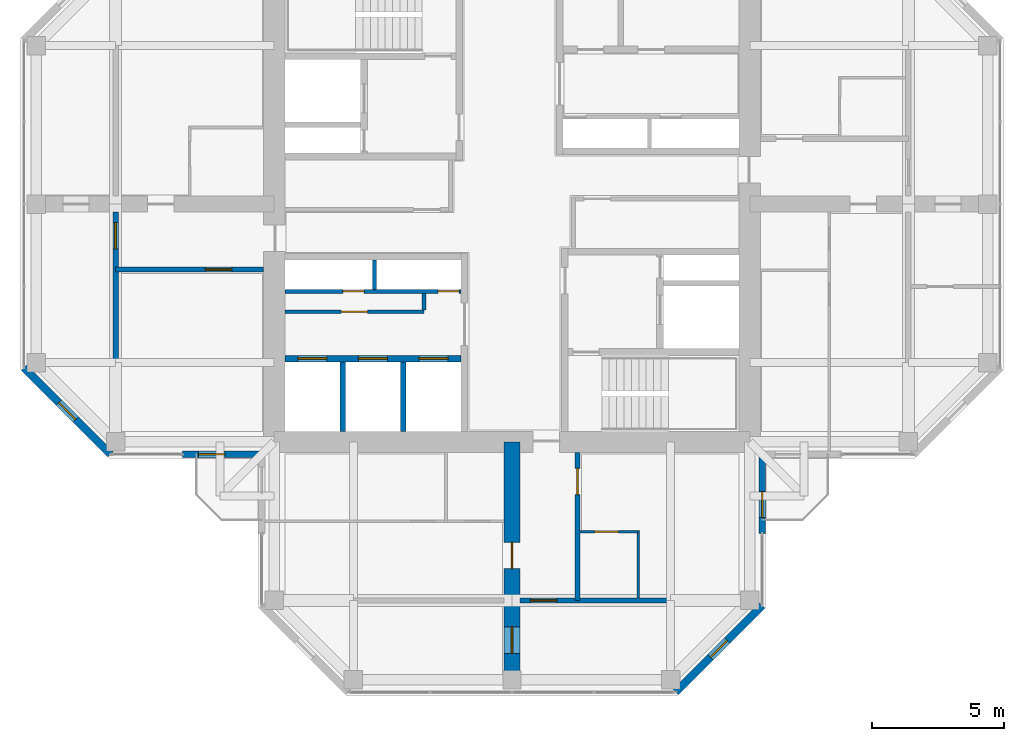
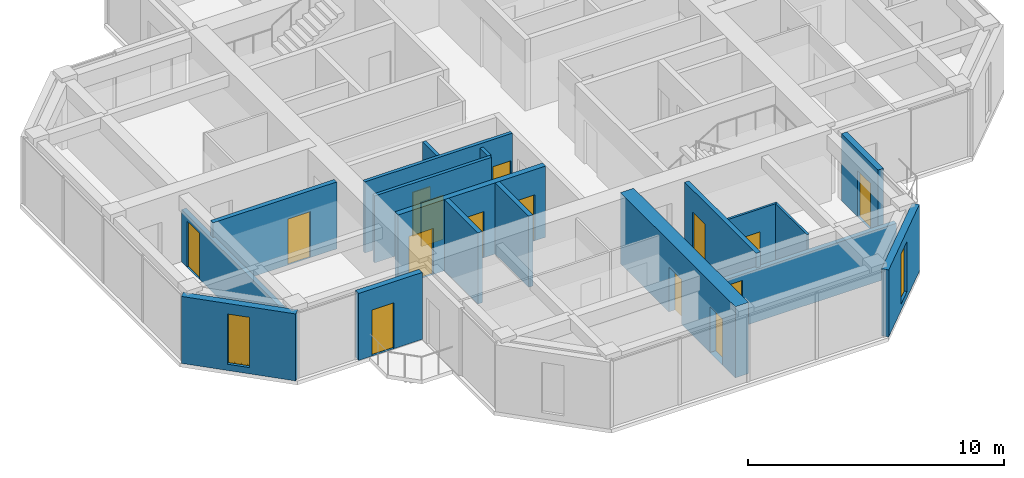
# One storey, part 8 of 13: 18 walls, 15 doors, 2 windows, 17 openings.
"""IFC4 building model written with IfcOpenShell, lengths in metres."""

from ifc_helpers import new_model, si_unit, direction, frame, frame_2d, origin, place, context, subcontext, project, spatial, rectangle, hollow_rectangle, extrude, material, layer, layer_set, constituent, constituent_set, type_object, element, fill, save


model = new_model("IFC4")

# Units and contexts
model_context = context("Model", 3, precision=1e-05, world=origin(), true_north=direction((0.0, 1.0)))
body_context = subcontext(model_context, "Body", "Model", "MODEL_VIEW")
ifc_project = project(units=[si_unit("LENGTHUNIT", "METRE"), si_unit("AREAUNIT", "SQUARE_METRE"), si_unit("VOLUMEUNIT", "CUBIC_METRE"), si_unit("PLANEANGLEUNIT", "RADIAN"), si_unit("MASSUNIT", "GRAM", prefix="KILO")], contexts=[model_context])

# Site, building, storey
site_placement = place(None, origin())
site = spatial("IfcSite", under=ifc_project, at=site_placement, CompositionType="ELEMENT")
building_placement = place(site_placement, origin())
building = spatial("IfcBuilding", under=site, at=building_placement, Name="Torre Cruceta", CompositionType="ELEMENT")
storey_placement = place(building_placement, frame((0.0, 0.0, 284.89990234375)))
storey = spatial("IfcBuildingStorey", under=building, at=storey_placement, Name="L74", CompositionType="ELEMENT", Elevation=284.89990234375)

# Wall
ifc_material_1 = material(Name="Water-resistant plasterboard on steel studs", Category="steel")
ifc_layer_1 = layer(ifc_material_1, 0.10009765625)
ifc_layer_set_1 = layer_set([ifc_layer_1], Name="Water-resistant plasterboard on steel studs")
wall_type_1 = type_object("IfcWallType", Name="BATHROOM WALL 100", PredefinedType="PARTITIONING", material=ifc_layer_set_1)
wall_1_placement = place(storey_placement, frame((4.77490234375, -12.35009765625, 0.0), z_axis=(0.0, 0.0, 1.0), x_axis=(0.0, -1.0, 0.0)))
element("IfcWall", 1, at=wall_1_placement, inside=storey, type_object=wall_type_1, Name="PT4 L74-S-U1LBB", PredefinedType="PARTITIONING", context=body_context, shape_type="SweptSolid", body=[
    extrude(rectangle(XDim=2.5498046875, YDim=0.10009765625, at=frame_2d((1.27490234375, 0.0))), origin(), (0.0, 0.0, 1.0), 3.2001953125),
])

# Wall, opening, door
wall_2_placement = place(storey_placement, frame((2.574951171875, -12.39990234375, 0.0), z_axis=(0.0, 0.0, 1.0), x_axis=(1.0, 0.0, 0.0)))
wall_2 = element("IfcWall", 2, at=wall_2_placement, inside=storey, type_object=wall_type_1, Name="PT4 L74-S-U1LBS", PredefinedType="PARTITIONING", context=body_context, shape_type="SweptSolid", body=[
    extrude(rectangle(XDim=2.199951171875, YDim=0.10009765625, at=frame_2d((1.10009765625, 0.0))), origin(), (0.0, 0.0, 1.0), 3.2001953125),
])
opening_1_placement = place(wall_2_placement, frame((0.550048828125, 0.0, 0.0)))
opening_1 = element("IfcOpeningElement", 3, at=opening_1_placement, cuts=wall_2, Name="Opening D7", PredefinedType="OPENING", context=body_context, shape_type="SweptSolid", body=[
    extrude(rectangle(XDim=0.89990234375, YDim=2.10009765625, at=frame_2d((0.449951171875, 1.050048828125))), frame((0.0, 0.06005859375, 0.0), z_axis=(0.0, -1.0, 0.0), x_axis=(1.0, 0.0, 0.0)), (0.0, 0.0, 1.0), 0.1201171875),
])
ifc_material_2 = material(Name="Timber door", Category="wood")
door_type_1 = type_object("IfcDoorType", Name="BATHROOM DOOR 900X2100", OperationType="SINGLE_SWING_LEFT", PredefinedType="DOOR", material=ifc_material_2)
door_1_placement = place(opening_1_placement, frame((0.89990234375, 0.0, 0.0), z_axis=(0.0, 0.0, 1.0), x_axis=(-1.0, 0.0, 0.0)))
door_1 = element("IfcDoor", 4, at=door_1_placement, inside=storey, type_object=door_type_1, Name="D7 L74-S-U1LBS-D1", OperationType="SINGLE_SWING_RIGHT", OverallHeight=2.10009765625, OverallWidth=0.89990234375, PredefinedType="DOOR", context=body_context, shape_type="SweptSolid", body=[
    extrude(rectangle(XDim=0.89990234375, YDim=2.10009765625, at=frame_2d((0.449951171875, 1.050048828125))), frame((0.0, 0.025146484375, 0.0), z_axis=(0.0, -1.0, 0.0), x_axis=(1.0, 0.0, 0.0)), (0.0, 0.0, 1.0), 0.050048828125),
])
fill(opening_1, door_1)

# Wall, openings, doors
ifc_material_3 = material(Name="Concrete G60 (fck 60 MPa)", Category="concrete")
ifc_layer_2 = layer(ifc_material_3, 0.25)
ifc_layer_set_2 = layer_set([ifc_layer_2], Name="Concrete G60 (fck 60 MPa)")
wall_type_2 = type_object("IfcWallType", Name="CORE INNER WALL 250 G60", PredefinedType="SHEAR", material=ifc_layer_set_2)
wall_3_placement = place(storey_placement, frame((-1.925048828125, -5.85009765625, 0.0), z_axis=(0.0, 0.0, 1.0), x_axis=(-1.0, 0.0, 0.0)))
wall_3 = element("IfcWall", 5, at=wall_3_placement, inside=storey, type_object=wall_type_2, Name="CW4 L74 SW-LV", PredefinedType="SHEAR", context=body_context, shape_type="SweptSolid", body=[
    extrude(rectangle(XDim=6.675048828125, YDim=0.25, at=frame_2d((3.33740234375, 0.0))), origin(), (0.0, 0.0, 1.0), 3.400146484375),
])
opening_2_placement = place(wall_3_placement, frame((0.495849609375, 0.0, 0.0)))
opening_2 = element("IfcOpeningElement", 6, at=opening_2_placement, cuts=wall_3, Name="Opening LD1", PredefinedType="OPENING", context=body_context, shape_type="SweptSolid", body=[
    extrude(rectangle(XDim=1.10009765625, YDim=2.199951171875, at=frame_2d((0.550048828125, 1.10009765625))), frame((0.0, 0.135009765625, 0.0), z_axis=(0.0, -1.0, 0.0), x_axis=(1.0, 0.0, 0.0)), (0.0, 0.0, 1.0), 0.27001953125),
])
opening_3_placement = place(wall_3_placement, frame((2.78759765625, 0.0, 0.0)))
opening_3 = element("IfcOpeningElement", 7, at=opening_3_placement, cuts=wall_3, Name="Opening LD1", PredefinedType="OPENING", context=body_context, shape_type="SweptSolid", body=[
    extrude(rectangle(XDim=1.10009765625, YDim=2.199951171875, at=frame_2d((0.550048828125, 1.10009765625))), frame((0.0, 0.135009765625, 0.0), z_axis=(0.0, -1.0, 0.0), x_axis=(1.0, 0.0, 0.0)), (0.0, 0.0, 1.0), 0.27001953125),
])
opening_4_placement = place(wall_3_placement, frame((5.0791015625, 0.0, 0.0)))
opening_4 = element("IfcOpeningElement", 8, at=opening_4_placement, cuts=wall_3, Name="Opening LD1", PredefinedType="OPENING", context=body_context, shape_type="SweptSolid", body=[
    extrude(rectangle(XDim=1.10009765625, YDim=2.199951171875, at=frame_2d((0.550048828125, 1.10009765625))), frame((0.0, 0.135009765625, 0.0), z_axis=(0.0, -1.0, 0.0), x_axis=(1.0, 0.0, 0.0)), (0.0, 0.0, 1.0), 0.27001953125),
])
ifc_material_4 = material(Name="Stainless steel 1.4401", Category="steel")
door_type_2 = type_object("IfcDoorType", Name="LIFT LANDING DOOR 1100X2200", OperationType="DOUBLE_DOOR_SLIDING", PredefinedType="DOOR", material=ifc_material_4)
door_2_placement = place(opening_2_placement, origin())
door_2 = element("IfcDoor", 9, at=door_2_placement, inside=storey, type_object=door_type_2, Name="Lift landing door R1", OperationType="DOUBLE_DOOR_SLIDING", OverallHeight=2.199951171875, OverallWidth=1.10009765625, PredefinedType="DOOR", context=body_context, shape_type="SweptSolid", body=[
    extrude(rectangle(XDim=1.10009765625, YDim=2.199951171875, at=frame_2d((0.550048828125, 1.10009765625))), frame((0.0, 0.02490234375, 0.0), z_axis=(0.0, -1.0, 0.0), x_axis=(1.0, 0.0, 0.0)), (0.0, 0.0, 1.0), 0.050048828125),
])
fill(opening_2, door_2)
door_3_placement = place(opening_3_placement, origin())
door_3 = element("IfcDoor", 10, at=door_3_placement, inside=storey, type_object=door_type_2, Name="Lift landing door R2", OperationType="DOUBLE_DOOR_SLIDING", OverallHeight=2.199951171875, OverallWidth=1.10009765625, PredefinedType="DOOR", context=body_context, shape_type="SweptSolid", body=[
    extrude(rectangle(XDim=1.10009765625, YDim=2.199951171875, at=frame_2d((0.550048828125, 1.10009765625))), frame((0.0, 0.02490234375, 0.0), z_axis=(0.0, -1.0, 0.0), x_axis=(1.0, 0.0, 0.0)), (0.0, 0.0, 1.0), 0.050048828125),
])
fill(opening_3, door_3)
door_4_placement = place(opening_4_placement, origin())
door_4 = element("IfcDoor", 11, at=door_4_placement, inside=storey, type_object=door_type_2, Name="Lift landing door R3", OperationType="DOUBLE_DOOR_SLIDING", OverallHeight=2.199951171875, OverallWidth=1.10009765625, PredefinedType="DOOR", context=body_context, shape_type="SweptSolid", body=[
    extrude(rectangle(XDim=1.10009765625, YDim=2.199951171875, at=frame_2d((0.550048828125, 1.10009765625))), frame((0.0, 0.02490234375, 0.0), z_axis=(0.0, -1.0, 0.0), x_axis=(1.0, 0.0, 0.0)), (0.0, 0.0, 1.0), 0.050048828125),
])
fill(opening_4, door_4)

# Wall, opening, door
ifc_material_5 = material(Name="Concrete G25 (fck 25 MPa)", Category="concrete")
ifc_layer_3 = layer(ifc_material_5, 0.199951171875)
ifc_layer_set_3 = layer_set([ifc_layer_3], Name="Concrete G25 (fck 25 MPa)")
wall_type_3 = type_object("IfcWallType", Name="CORRIDOR WALL 200", PredefinedType="SOLIDWALL", material=ifc_layer_set_3)
wall_4_placement = place(storey_placement, frame((2.47509765625, -9.39990234375, 0.0), z_axis=(0.0, 0.0, 1.0), x_axis=(0.0, -1.0, 0.0)))
wall_4 = element("IfcWall", 12, at=wall_4_placement, inside=storey, type_object=wall_type_3, Name="PT3 L74-S-CL", PredefinedType="SOLIDWALL", context=body_context, shape_type="SweptSolid", body=[
    extrude(rectangle(XDim=5.60009765625, YDim=0.199951171875, at=frame_2d((2.800048828125, 0.0))), origin(), (0.0, 0.0, 1.0), 3.2001953125),
])
opening_5_placement = place(wall_4_placement, frame((0.60009765625, 0.0, 0.0)))
opening_5 = element("IfcOpeningElement", 13, at=opening_5_placement, cuts=wall_4, Name="Opening D6", PredefinedType="OPENING", context=body_context, shape_type="SweptSolid", body=[
    extrude(rectangle(XDim=1.0, YDim=2.14990234375, at=frame_2d((0.5, 1.074951171875))), frame((0.0, 0.10986328125, 0.0), z_axis=(0.0, -1.0, 0.0), x_axis=(1.0, 0.0, 0.0)), (0.0, 0.0, 1.0), 0.219970703125),
])
ifc_material_6 = material(Name="Timber fire door", Category="wood")
door_type_3 = type_object("IfcDoorType", Name="UNIT ENTRANCE DOOR 1000X2150", OperationType="SINGLE_SWING_LEFT", PredefinedType="DOOR", material=ifc_material_6)
door_5_placement = place(opening_5_placement, origin())
door_5 = element("IfcDoor", 14, at=door_5_placement, inside=storey, type_object=door_type_3, Name="D6 L74-S-CL-D1", OperationType="SINGLE_SWING_LEFT", OverallHeight=2.14990234375, OverallWidth=1.0, PredefinedType="DOOR", context=body_context, shape_type="SweptSolid", body=[
    extrude(rectangle(XDim=1.0, YDim=2.14990234375, at=frame_2d((0.5, 1.074951171875))), frame((0.0, 0.02490234375, 0.0), z_axis=(0.0, -1.0, 0.0), x_axis=(1.0, 0.0, 0.0)), (0.0, 0.0, 1.0), 0.050048828125),
])
fill(opening_5, door_5)

wall_5_placement = place(storey_placement, frame((-9.39990234375, -2.47509765625, 0.0), z_axis=(0.0, 0.0, 1.0), x_axis=(-1.0, 0.0, 0.0)))
wall_5 = element("IfcWall", 15, at=wall_5_placement, inside=storey, type_object=wall_type_3, Name="PT3 L74-W-CL", PredefinedType="SOLIDWALL", context=body_context, shape_type="SweptSolid", body=[
    extrude(rectangle(XDim=5.60009765625, YDim=0.199951171875, at=frame_2d((2.800048828125, 0.0))), origin(), (0.0, 0.0, 1.0), 3.2001953125),
])
opening_6_placement = place(wall_5_placement, frame((1.199951171875, 0.0, 0.0)))
opening_6 = element("IfcOpeningElement", 16, at=opening_6_placement, cuts=wall_5, Name="Opening D14", PredefinedType="OPENING", context=body_context, shape_type="SweptSolid", body=[
    extrude(rectangle(XDim=1.0, YDim=2.199951171875, at=frame_2d((0.5, 1.10009765625))), frame((0.0, 0.10986328125, 0.0), z_axis=(0.0, -1.0, 0.0), x_axis=(1.0, 0.0, 0.0)), (0.0, 0.0, 1.0), 0.219970703125),
])
ifc_material_7 = material(Name="Steel DX51D", Category="steel")
ifc_constituent_1 = constituent(ifc_material_7, Name="Leaf and frame")
ifc_material_8 = material(Name="Polyester powder coating", Category="paint")
ifc_constituent_2 = constituent(ifc_material_8, Name="Finish")
ifc_material_9 = material(Name="Fire-resisting glass", Category="glass")
ifc_constituent_3 = constituent(ifc_material_9, Name="Vision panel")
ifc_constituent_set_1 = constituent_set(constituents=[ifc_constituent_1, ifc_constituent_2, ifc_constituent_3], Name="Steel fire door with vision panel")
door_type_4 = type_object("IfcDoorType", Name="FIRE DOOR VISION PANEL 1000X2200", OperationType="SINGLE_SWING_RIGHT", PredefinedType="DOOR", material=ifc_constituent_set_1)
door_6_placement = place(opening_6_placement, origin())
door_6 = element("IfcDoor", 17, at=door_6_placement, inside=storey, type_object=door_type_4, Name="D14 L74-W-CL-D1", OperationType="SINGLE_SWING_LEFT", OverallHeight=2.199951171875, OverallWidth=1.0, PredefinedType="DOOR", context=body_context, shape_type="SweptSolid", body=[
    extrude(rectangle(XDim=1.0, YDim=2.199951171875, at=frame_2d((0.5, 1.10009765625))), frame((0.0, 0.02490234375, 0.0), z_axis=(0.0, -1.0, 0.0), x_axis=(1.0, 0.0, 0.0)), (0.0, 0.0, 1.0), 0.050048828125),
])
fill(opening_6, door_6)

# Wall, opening, window
ifc_material_10 = material(Name="Concrete G30 (fck 30 MPa)", Category="concrete")
ifc_layer_4 = layer(ifc_material_10, 0.300048828125)
ifc_layer_set_4 = layer_set([ifc_layer_4], Name="Concrete G30 (fck 30 MPa)")
wall_type_4 = type_object("IfcWallType", Name="EXPOSED CONCRETE FACADE WALL 300", PredefinedType="SOLIDWALL", material=ifc_layer_set_4)
wall_6_placement = place(storey_placement, frame((-18.469970703125, -6.194580078125, 0.0), z_axis=(0.0, 0.0, 1.0), x_axis=(0.707106781187, -0.707106781187, 0.0)))
wall_6 = element("IfcWall", 18, at=wall_6_placement, inside=storey, type_object=wall_type_4, Name="EW1 facade wall L74 W chamfer 13", PredefinedType="SOLIDWALL", context=body_context, shape_type="SweptSolid", body=[
    extrude(rectangle(XDim=4.632080078125, YDim=0.300048828125, at=frame_2d((2.31591796875, 0.0))), origin(), (0.0, 0.0, 1.0), 3.2001953125),
])
opening_7_placement = place(wall_6_placement, frame((1.865966796875, 0.0, 0.300048828125)))
opening_7 = element("IfcOpeningElement", 19, at=opening_7_placement, cuts=wall_6, Name="Opening WN5", PredefinedType="OPENING", context=body_context, shape_type="SweptSolid", body=[
    extrude(rectangle(XDim=0.89990234375, YDim=2.39990234375, at=frame_2d((0.449951171875, 1.199951171875))), frame((0.0, 0.159912109375, 0.0), z_axis=(0.0, -1.0, 0.0), x_axis=(1.0, 0.0, 0.0)), (0.0, 0.0, 1.0), 0.320068359375),
])
ifc_material_11 = material(Name="Aluminium window frame", Category="aluminium")
ifc_constituent_4 = constituent(ifc_material_11, Name="Frame")
ifc_material_12 = material(Name="Laminated insulating glass unit, low-iron clear", Category="glass")
ifc_constituent_5 = constituent(ifc_material_12, Name="Glazing")
ifc_constituent_set_2 = constituent_set(constituents=[ifc_constituent_4, ifc_constituent_5], Name="Aluminium window")
window_type = type_object("IfcWindowType", Name="CHAMFER SLOT WINDOW 900X2400", PartitioningType="SINGLE_PANEL", PredefinedType="WINDOW", material=ifc_constituent_set_2)
window_1_placement = place(opening_7_placement, origin())
window_1 = element("IfcWindow", 20, at=window_1_placement, inside=storey, type_object=window_type, Name="WN5 L74 W 1", OverallHeight=2.39990234375, OverallWidth=0.89990234375, PartitioningType="SINGLE_PANEL", PredefinedType="WINDOW", context=body_context, shape_type="SweptSolid", body=[
    extrude(hollow_rectangle(XDim=0.89990234375, YDim=2.39990234375, WallThickness=0.06005859375, at=frame_2d((0.449951171875, 1.199951171875))), frame((0.0, 0.030029296875, 0.0), z_axis=(0.0, -1.0, 0.0), x_axis=(1.0, 0.0, 0.0)), (0.0, 0.0, 1.0), 0.06005859375),
    extrude(rectangle(XDim=0.77880859375, YDim=2.27880859375, at=frame_2d((0.449951171875, 1.199951171875))), frame((0.0, 0.030029296875, 0.0), z_axis=(0.0, -1.0, 0.0), x_axis=(1.0, 0.0, 0.0)), (0.0, 0.0, 1.0), 0.06005859375),
])
fill(opening_7, window_1)

wall_7_placement = place(storey_placement, frame((6.194580078125, -18.469970703125, 0.0), z_axis=(0.0, 0.0, 1.0), x_axis=(0.707106781187, 0.707106781187, 0.0)))
wall_7 = element("IfcWall", 21, at=wall_7_placement, inside=storey, type_object=wall_type_4, Name="EW1 facade wall L74 S chamfer 18", PredefinedType="SOLIDWALL", context=body_context, shape_type="SweptSolid", body=[
    extrude(rectangle(XDim=4.632080078125, YDim=0.300048828125, at=frame_2d((2.31591796875, 0.0))), origin(), (0.0, 0.0, 1.0), 3.2001953125),
])
opening_8_placement = place(wall_7_placement, frame((1.865966796875, 0.0, 0.300048828125)))
opening_8 = element("IfcOpeningElement", 22, at=opening_8_placement, cuts=wall_7, Name="Opening WN5", PredefinedType="OPENING", context=body_context, shape_type="SweptSolid", body=[
    extrude(rectangle(XDim=0.89990234375, YDim=2.39990234375, at=frame_2d((0.449951171875, 1.199951171875))), frame((0.0, 0.159912109375, 0.0), z_axis=(0.0, -1.0, 0.0), x_axis=(1.0, 0.0, 0.0)), (0.0, 0.0, 1.0), 0.320068359375),
])
window_2_placement = place(opening_8_placement, origin())
window_2 = element("IfcWindow", 23, at=window_2_placement, inside=storey, type_object=window_type, Name="WN5 L74 S 1", OverallHeight=2.39990234375, OverallWidth=0.89990234375, PartitioningType="SINGLE_PANEL", PredefinedType="WINDOW", context=body_context, shape_type="SweptSolid", body=[
    extrude(hollow_rectangle(XDim=0.89990234375, YDim=2.39990234375, WallThickness=0.06005859375, at=frame_2d((0.449951171875, 1.199951171875))), frame((0.0, 0.030029296875, 0.0), z_axis=(0.0, -1.0, 0.0), x_axis=(1.0, 0.0, 0.0)), (0.0, 0.0, 1.0), 0.06005859375),
    extrude(rectangle(XDim=0.77880859375, YDim=2.27880859375, at=frame_2d((0.449951171875, 1.199951171875))), frame((0.0, 0.030029296875, 0.0), z_axis=(0.0, -1.0, 0.0), x_axis=(1.0, 0.0, 0.0)), (0.0, 0.0, 1.0), 0.06005859375),
])
fill(opening_8, window_2)

# Walls
ifc_material_13 = material(Name="Concrete G35 (fck 35 MPa)", Category="concrete")
ifc_layer_5 = layer(ifc_material_13, 0.199951171875)
ifc_layer_set_5 = layer_set([ifc_layer_5], Name="Concrete G35 (fck 35 MPa)")
wall_type_5 = type_object("IfcWallType", Name="LIFT SHAFT WALL 200", PredefinedType="PARTITIONING", material=ifc_layer_set_5)
for number, where, z_axis, x_axis, name in (
    (24, (-4.11669921875, -5.97509765625, 0.0), (0.0, 0.0, 1.0), (0.0, -1.0, 0.0), "SW1 L74 SW-LS1"),
    (25, (-6.408447265625, -5.97509765625, 0.0), (0.0, 0.0, 1.0), (0.0, -1.0, 0.0), "SW1 L74 SW-LS2"),
):
    element("IfcWall", number, at=place(storey_placement, frame(where, z_axis=z_axis, x_axis=x_axis)), inside=storey, type_object=wall_type_5, Name=name, PredefinedType="PARTITIONING", context=body_context, shape_type="SweptSolid", body=[
        extrude(rectangle(XDim=2.625, YDim=0.199951171875, at=frame_2d((1.3125, 0.0))), origin(), (0.0, 0.0, 1.0), 3.400146484375),
    ])

# Wall, opening, door
ifc_material_14 = material(Name="Plasterboard on steel studs", Category="steel")
ifc_layer_6 = layer(ifc_material_14, 0.14990234375)
ifc_layer_set_6 = layer_set([ifc_layer_6], Name="Plasterboard on steel studs")
wall_type_6 = type_object("IfcWallType", Name="PARTITION 150", PredefinedType="PARTITIONING", material=ifc_layer_set_6)
wall_8_placement = place(storey_placement, frame((-3.324951171875, -4.074951171875, 0.0), z_axis=(0.0, 0.0, 1.0), x_axis=(-1.0, 0.0, 0.0)))
wall_8 = element("IfcWall", 26, at=wall_8_placement, inside=storey, type_object=wall_type_6, Name="PT1 L74-CORE-SW-CUPBOARD", PredefinedType="PARTITIONING", context=body_context, shape_type="SweptSolid", body=[
    extrude(rectangle(XDim=5.275146484375, YDim=0.14990234375, at=frame_2d((2.6376953125, 0.0))), origin(), (0.0, 0.0, 1.0), 3.2001953125),
])
opening_9_placement = place(wall_8_placement, frame((2.137451171875, 0.0, 0.0)))
opening_9 = element("IfcOpeningElement", 27, at=opening_9_placement, cuts=wall_8, Name="Opening D19", PredefinedType="OPENING", context=body_context, shape_type="SweptSolid", body=[
    extrude(rectangle(XDim=1.0, YDim=2.10009765625, at=frame_2d((0.5, 1.050048828125))), frame((0.0, 0.0849609375, 0.0), z_axis=(0.0, -1.0, 0.0), x_axis=(1.0, 0.0, 0.0)), (0.0, 0.0, 1.0), 0.169921875),
])
ifc_material_15 = material(Name="Timber fire door", Category="wood")
door_type_5 = type_object("IfcDoorType", Name="CUPBOARD PAIR OF DOORS 1000X2100", OperationType="DOUBLE_DOOR_SINGLE_SWING", PredefinedType="DOOR", material=ifc_material_15)
door_7_placement = place(opening_9_placement, frame((1.0, 0.0, 0.0), z_axis=(0.0, 0.0, 1.0), x_axis=(-1.0, 0.0, 0.0)))
door_7 = element("IfcDoor", 28, at=door_7_placement, inside=storey, type_object=door_type_5, Name="D19 L74-CORE-SW-CUPBOARD-D1", OperationType="DOUBLE_DOOR_SINGLE_SWING", OverallHeight=2.10009765625, OverallWidth=1.0, PredefinedType="DOOR", context=body_context, shape_type="SweptSolid", body=[
    extrude(rectangle(XDim=1.0, YDim=2.10009765625, at=frame_2d((0.5, 1.050048828125))), frame((0.0, 0.025146484375, 0.0), z_axis=(0.0, -1.0, 0.0), x_axis=(1.0, 0.0, 0.0)), (0.0, 0.0, 1.0), 0.050048828125),
])
fill(opening_9, door_7)

# Wall
wall_9_placement = place(storey_placement, frame((-3.324951171875, -3.375, 0.0), z_axis=(0.0, 0.0, 1.0), x_axis=(0.0, -1.0, 0.0)))
element("IfcWall", 29, at=wall_9_placement, inside=storey, type_object=wall_type_6, Name="PT1 L74-CORE-SW-CUPBOARDE", PredefinedType="PARTITIONING", context=body_context, shape_type="SweptSolid", body=[
    extrude(rectangle(XDim=0.625, YDim=0.14990234375, at=frame_2d((0.3125, 0.0))), origin(), (0.0, 0.0, 1.0), 3.2001953125),
])

# Wall, openings, doors
ifc_material_16 = material(Name="Concrete block masonry", Category="masonry")
ifc_layer_7 = layer(ifc_material_16, 0.14990234375)
ifc_layer_set_7 = layer_set([ifc_layer_7], Name="Concrete block masonry")
wall_type_7 = type_object("IfcWallType", Name="RISER WALL 150", PredefinedType="PARTITIONING", material=ifc_layer_set_7)
wall_10_placement = place(storey_placement, frame((-1.925048828125, -3.300048828125, 0.0), z_axis=(0.0, 0.0, 1.0), x_axis=(-1.0, 0.0, 0.0)))
wall_10 = element("IfcWall", 30, at=wall_10_placement, inside=storey, type_object=wall_type_7, Name="SW7 L74 SW-RV", PredefinedType="PARTITIONING", context=body_context, shape_type="SweptSolid", body=[
    extrude(rectangle(XDim=6.675048828125, YDim=0.14990234375, at=frame_2d((3.33740234375, 0.0))), origin(), (0.0, 0.0, 1.0), 3.400146484375),
])
opening_10_placement = place(wall_10_placement, frame((0.074951171875, 0.0, 0.0)))
opening_10 = element("IfcOpeningElement", 31, at=opening_10_placement, cuts=wall_10, Name="Opening D5", PredefinedType="OPENING", context=body_context, shape_type="SweptSolid", body=[
    extrude(rectangle(XDim=0.800048828125, YDim=2.10009765625, at=frame_2d((0.39990234375, 1.050048828125))), frame((0.0, 0.0849609375, 0.0), z_axis=(0.0, -1.0, 0.0), x_axis=(1.0, 0.0, 0.0)), (0.0, 0.0, 1.0), 0.169921875),
])
opening_11_placement = place(wall_10_placement, frame((3.675048828125, 0.0, 0.0)))
opening_11 = element("IfcOpeningElement", 32, at=opening_11_placement, cuts=wall_10, Name="Opening D5", PredefinedType="OPENING", context=body_context, shape_type="SweptSolid", body=[
    extrude(rectangle(XDim=0.800048828125, YDim=2.10009765625, at=frame_2d((0.39990234375, 1.050048828125))), frame((0.0, 0.0849609375, 0.0), z_axis=(0.0, -1.0, 0.0), x_axis=(1.0, 0.0, 0.0)), (0.0, 0.0, 1.0), 0.169921875),
])
ifc_material_17 = material(Name="Steel DX51D", Category="steel")
ifc_constituent_6 = constituent(ifc_material_17, Name="Leaf and frame")
ifc_material_18 = material(Name="Polyester powder coating", Category="paint")
ifc_constituent_7 = constituent(ifc_material_18, Name="Finish")
ifc_constituent_set_3 = constituent_set(constituents=[ifc_constituent_6, ifc_constituent_7], Name="Steel fire door")
door_type_6 = type_object("IfcDoorType", Name="RISER ACCESS DOOR 800X2100", OperationType="SINGLE_SWING_LEFT", PredefinedType="DOOR", material=ifc_constituent_set_3)
door_8_placement = place(opening_10_placement, frame((0.800048828125, 0.0, 0.0), z_axis=(0.0, 0.0, 1.0), x_axis=(-1.0, 0.0, 0.0)))
door_8 = element("IfcDoor", 33, at=door_8_placement, inside=storey, type_object=door_type_6, Name="D5 L74 SW-RISER1", OperationType="SINGLE_SWING_RIGHT", OverallHeight=2.10009765625, OverallWidth=0.800048828125, PredefinedType="DOOR", context=body_context, shape_type="SweptSolid", body=[
    extrude(rectangle(XDim=0.800048828125, YDim=2.10009765625, at=frame_2d((0.400146484375, 1.050048828125))), frame((0.0, 0.025146484375, 0.0), z_axis=(0.0, -1.0, 0.0), x_axis=(1.0, 0.0, 0.0)), (0.0, 0.0, 1.0), 0.050048828125),
])
fill(opening_10, door_8)
door_9_placement = place(opening_11_placement, frame((0.800048828125, 0.0, 0.0), z_axis=(0.0, 0.0, 1.0), x_axis=(-1.0, 0.0, 0.0)))
door_9 = element("IfcDoor", 34, at=door_9_placement, inside=storey, type_object=door_type_6, Name="D5 L74 SW-RISER2", OperationType="SINGLE_SWING_RIGHT", OverallHeight=2.10009765625, OverallWidth=0.800048828125, PredefinedType="DOOR", context=body_context, shape_type="SweptSolid", body=[
    extrude(rectangle(XDim=0.800048828125, YDim=2.10009765625, at=frame_2d((0.400146484375, 1.050048828125))), frame((0.0, 0.025146484375, 0.0), z_axis=(0.0, -1.0, 0.0), x_axis=(1.0, 0.0, 0.0)), (0.0, 0.0, 1.0), 0.050048828125),
])
fill(opening_11, door_9)

# Wall
wall_11_placement = place(storey_placement, frame((-5.199951171875, -2.125, 0.0), z_axis=(0.0, 0.0, 1.0), x_axis=(0.0, -1.0, 0.0)))
element("IfcWall", 35, at=wall_11_placement, inside=storey, type_object=wall_type_7, Name="SW7 L74 SW-RU", PredefinedType="PARTITIONING", context=body_context, shape_type="SweptSolid", body=[
    extrude(rectangle(XDim=1.10009765625, YDim=0.14990234375, at=frame_2d((0.550048828125, 0.0))), origin(), (0.0, 0.0, 1.0), 3.400146484375),
])

# Wall, openings, doors
ifc_material_19 = material(Name="Concrete G60 (fck 60 MPa)", Category="concrete")
ifc_layer_8 = layer(ifc_material_19, 0.60009765625)
ifc_layer_set_8 = layer_set([ifc_layer_8], Name="Concrete G60 (fck 60 MPa)")
wall_type_8 = type_object("IfcWallType", Name="SPINE WALL 600 G60", PredefinedType="SHEAR", material=ifc_layer_set_8)
wall_12_placement = place(storey_placement, frame((0.0, -9.0, 0.0), z_axis=(0.0, 0.0, 1.0), x_axis=(0.0, -1.0, 0.0)))
wall_12 = element("IfcWall", 36, at=wall_12_placement, inside=storey, type_object=wall_type_8, Name="SW5 spine wall L74 S", PredefinedType="SHEAR", context=body_context, shape_type="SweptSolid", body=[
    extrude(rectangle(XDim=9.0, YDim=0.60009765625, at=frame_2d((4.5, 0.0))), origin(), (0.0, 0.0, 1.0), 3.400146484375),
])
opening_12_placement = place(wall_12_placement, frame((3.800048828125, 0.0, 0.0)))
opening_12 = element("IfcOpeningElement", 37, at=opening_12_placement, cuts=wall_12, Name="Opening D6", PredefinedType="OPENING", context=body_context, shape_type="SweptSolid", body=[
    extrude(rectangle(XDim=1.0, YDim=2.14990234375, at=frame_2d((0.5, 1.074951171875))), frame((0.0, 0.31005859375, 0.0), z_axis=(0.0, -1.0, 0.0), x_axis=(1.0, 0.0, 0.0)), (0.0, 0.0, 1.0), 0.6201171875),
])
opening_13_placement = place(wall_12_placement, frame((7.0, 0.0, 0.0)))
opening_13 = element("IfcOpeningElement", 38, at=opening_13_placement, cuts=wall_12, Name="Opening D14", PredefinedType="OPENING", context=body_context, shape_type="SweptSolid", body=[
    extrude(rectangle(XDim=1.0, YDim=2.199951171875, at=frame_2d((0.5, 1.10009765625))), frame((0.0, 0.31005859375, 0.0), z_axis=(0.0, -1.0, 0.0), x_axis=(1.0, 0.0, 0.0)), (0.0, 0.0, 1.0), 0.6201171875),
])
door_10_placement = place(opening_13_placement, origin())
door_10 = element("IfcDoor", 39, at=door_10_placement, inside=storey, type_object=door_type_4, Name="D14 L74-S-SP2", OperationType="SINGLE_SWING_LEFT", OverallHeight=2.199951171875, OverallWidth=1.0, PredefinedType="DOOR", context=body_context, shape_type="SweptSolid", body=[
    extrude(rectangle(XDim=1.0, YDim=2.199951171875, at=frame_2d((0.5, 1.10009765625))), frame((0.0, 0.02490234375, 0.0), z_axis=(0.0, -1.0, 0.0), x_axis=(1.0, 0.0, 0.0)), (0.0, 0.0, 1.0), 0.050048828125),
])
fill(opening_13, door_10)
door_11_placement = place(opening_12_placement, frame((1.0, 0.0, 0.0), z_axis=(0.0, 0.0, 1.0), x_axis=(-1.0, 0.0, 0.0)))
door_11 = element("IfcDoor", 40, at=door_11_placement, inside=storey, type_object=door_type_3, Name="D6 L74-S-SP1", OperationType="SINGLE_SWING_RIGHT", OverallHeight=2.14990234375, OverallWidth=1.0, PredefinedType="DOOR", context=body_context, shape_type="SweptSolid", body=[
    extrude(rectangle(XDim=1.0, YDim=2.14990234375, at=frame_2d((0.5, 1.074951171875))), frame((0.0, 0.025146484375, 0.0), z_axis=(0.0, -1.0, 0.0), x_axis=(1.0, 0.0, 0.0)), (0.0, 0.0, 1.0), 0.050048828125),
])
fill(opening_12, door_11)

# Wall, opening, door
ifc_material_20 = material(Name="Concrete G25 (fck 25 MPa)", Category="concrete")
ifc_layer_9 = layer(ifc_material_20, 0.199951171875)
ifc_layer_set_9 = layer_set([ifc_layer_9], Name="Concrete G25 (fck 25 MPa)")
wall_type_9 = type_object("IfcWallType", Name="UNIT SEPARATING WALL 200", PredefinedType="SOLIDWALL", material=ifc_layer_set_9)
wall_13_placement = place(storey_placement, frame((0.300048828125, -15.0, 0.0), z_axis=(0.0, 0.0, 1.0), x_axis=(1.0, 0.0, 0.0)))
wall_13 = element("IfcWall", 41, at=wall_13_placement, inside=storey, type_object=wall_type_9, Name="PT2 L74-S-ENDb", PredefinedType="SOLIDWALL", context=body_context, shape_type="SweptSolid", body=[
    extrude(rectangle(XDim=8.349853515625, YDim=0.199951171875, at=frame_2d((4.1748046875, 0.0))), origin(), (0.0, 0.0, 1.0), 2.5),
])
opening_14_placement = place(wall_13_placement, frame((0.39990234375, 0.0, 0.0)))
opening_14 = element("IfcOpeningElement", 42, at=opening_14_placement, cuts=wall_13, Name="Opening D14", PredefinedType="OPENING", context=body_context, shape_type="SweptSolid", body=[
    extrude(rectangle(XDim=1.0, YDim=2.199951171875, at=frame_2d((0.5, 1.10009765625))), frame((0.0, 0.10986328125, 0.0), z_axis=(0.0, -1.0, 0.0), x_axis=(1.0, 0.0, 0.0)), (0.0, 0.0, 1.0), 0.219970703125),
])
door_12_placement = place(opening_14_placement, frame((1.0, 0.0, 0.0), z_axis=(0.0, 0.0, 1.0), x_axis=(-1.0, 0.0, 0.0)))
door_12 = element("IfcDoor", 43, at=door_12_placement, inside=storey, type_object=door_type_4, Name="D14 L74-S-ENDb-D1", OperationType="SINGLE_SWING_LEFT", OverallHeight=2.199951171875, OverallWidth=1.0, PredefinedType="DOOR", context=body_context, shape_type="SweptSolid", body=[
    extrude(rectangle(XDim=1.0, YDim=2.199951171875, at=frame_2d((0.5, 1.10009765625))), frame((0.0, 0.025146484375, 0.0), z_axis=(0.0, -1.0, 0.0), x_axis=(1.0, 0.0, 0.0)), (0.0, 0.0, 1.0), 0.050048828125),
])
fill(opening_14, door_12)

wall_14_placement = place(storey_placement, frame((-15.0, -0.300048828125, 0.0), z_axis=(0.0, 0.0, 1.0), x_axis=(0.0, -1.0, 0.0)))
wall_14 = element("IfcWall", 44, at=wall_14_placement, inside=storey, type_object=wall_type_9, Name="PT2 L74-W-ENDb", PredefinedType="SOLIDWALL", context=body_context, shape_type="SweptSolid", body=[
    extrude(rectangle(XDim=8.349853515625, YDim=0.199951171875, at=frame_2d((4.1748046875, 0.0))), origin(), (0.0, 0.0, 1.0), 2.5),
])
opening_15_placement = place(wall_14_placement, frame((0.39990234375, 0.0, 0.0)))
opening_15 = element("IfcOpeningElement", 45, at=opening_15_placement, cuts=wall_14, Name="Opening D14", PredefinedType="OPENING", context=body_context, shape_type="SweptSolid", body=[
    extrude(rectangle(XDim=1.0, YDim=2.199951171875, at=frame_2d((0.5, 1.10009765625))), frame((0.0, 0.10986328125, 0.0), z_axis=(0.0, -1.0, 0.0), x_axis=(1.0, 0.0, 0.0)), (0.0, 0.0, 1.0), 0.219970703125),
])
door_13_placement = place(opening_15_placement, frame((1.0, 0.0, 0.0), z_axis=(0.0, 0.0, 1.0), x_axis=(-1.0, 0.0, 0.0)))
door_13 = element("IfcDoor", 46, at=door_13_placement, inside=storey, type_object=door_type_4, Name="D14 L74-W-ENDb-D1", OperationType="SINGLE_SWING_LEFT", OverallHeight=2.199951171875, OverallWidth=1.0, PredefinedType="DOOR", context=body_context, shape_type="SweptSolid", body=[
    extrude(rectangle(XDim=1.0, YDim=2.199951171875, at=frame_2d((0.5, 1.10009765625))), frame((0.0, 0.025146484375, 0.0), z_axis=(0.0, -1.0, 0.0), x_axis=(1.0, 0.0, 0.0)), (0.0, 0.0, 1.0), 0.050048828125),
])
fill(opening_15, door_13)

ifc_material_21 = material(Name="Concrete G30 (fck 30 MPa)", Category="concrete")
ifc_layer_10 = layer(ifc_material_21, 0.25)
ifc_layer_set_10 = layer_set([ifc_layer_10], Name="Concrete G30 (fck 30 MPa)")
wall_type_10 = type_object("IfcWallType", Name="WINTER GARDEN WALL 250", PredefinedType="SOLIDWALL", material=ifc_layer_set_10)
wall_15_placement = place(storey_placement, frame((-12.469970703125, -9.469970703125, 0.0), z_axis=(0.0, 0.0, 1.0), x_axis=(1.0, 0.0, 0.0)))
wall_15 = element("IfcWall", 47, at=wall_15_placement, inside=storey, type_object=wall_type_10, Name="EW2 winter garden wall L74 14", PredefinedType="SOLIDWALL", context=body_context, shape_type="SweptSolid", body=[
    extrude(rectangle(XDim=2.875, YDim=0.25, at=frame_2d((1.4375, 0.0))), origin(), (0.0, 0.0, 1.0), 3.2001953125),
])
opening_16_placement = place(wall_15_placement, frame((0.60009765625, 0.0, 0.0)))
opening_16 = element("IfcOpeningElement", 48, at=opening_16_placement, cuts=wall_15, Name="Opening D10", PredefinedType="OPENING", context=body_context, shape_type="SweptSolid", body=[
    extrude(rectangle(XDim=1.0, YDim=2.199951171875, at=frame_2d((0.5, 1.10009765625))), frame((0.0, 0.135009765625, 0.0), z_axis=(0.0, -1.0, 0.0), x_axis=(1.0, 0.0, 0.0)), (0.0, 0.0, 1.0), 0.27001953125),
])
ifc_material_22 = material(Name="Aluminium door frame", Category="aluminium")
ifc_constituent_8 = constituent(ifc_material_22, Name="Frame")
ifc_material_23 = material(Name="Laminated safety glass", Category="glass")
ifc_constituent_9 = constituent(ifc_material_23, Name="Glazing")
ifc_constituent_set_4 = constituent_set(constituents=[ifc_constituent_8, ifc_constituent_9], Name="Aluminium glazed door")
door_type_7 = type_object("IfcDoorType", Name="BALCONY DOOR 1000X2200", OperationType="SINGLE_SWING_RIGHT", PredefinedType="DOOR", material=ifc_constituent_set_4)
door_14_placement = place(opening_16_placement, origin())
door_14 = element("IfcDoor", 49, at=door_14_placement, inside=storey, type_object=door_type_7, Name="D10 balcony door L74 14", OperationType="SINGLE_SWING_RIGHT", OverallHeight=2.199951171875, OverallWidth=1.0, PredefinedType="DOOR", context=body_context, shape_type="SweptSolid", body=[
    extrude(hollow_rectangle(XDim=1.0, YDim=2.199951171875, WallThickness=0.06005859375, at=frame_2d((0.5, 1.10009765625))), frame((0.0, 0.02490234375, 0.0), z_axis=(0.0, -1.0, 0.0), x_axis=(1.0, 0.0, 0.0)), (0.0, 0.0, 1.0), 0.050048828125),
    extrude(rectangle(XDim=0.87890625, YDim=2.078857421875, at=frame_2d((0.5, 1.10009765625))), frame((0.0, 0.02490234375, 0.0), z_axis=(0.0, -1.0, 0.0), x_axis=(1.0, 0.0, 0.0)), (0.0, 0.0, 1.0), 0.050048828125),
])
fill(opening_16, door_14)

wall_16_placement = place(storey_placement, frame((9.469970703125, -12.469970703125, 0.0), z_axis=(0.0, 0.0, 1.0), x_axis=(0.0, 1.0, 0.0)))
wall_16 = element("IfcWall", 50, at=wall_16_placement, inside=storey, type_object=wall_type_10, Name="EW2 winter garden wall L74 19", PredefinedType="SOLIDWALL", context=body_context, shape_type="SweptSolid", body=[
    extrude(rectangle(XDim=2.875, YDim=0.25, at=frame_2d((1.4375, 0.0))), origin(), (0.0, 0.0, 1.0), 3.2001953125),
])
opening_17_placement = place(wall_16_placement, frame((0.60009765625, 0.0, 0.0)))
opening_17 = element("IfcOpeningElement", 51, at=opening_17_placement, cuts=wall_16, Name="Opening D10", PredefinedType="OPENING", context=body_context, shape_type="SweptSolid", body=[
    extrude(rectangle(XDim=1.0, YDim=2.199951171875, at=frame_2d((0.5, 1.10009765625))), frame((0.0, 0.135009765625, 0.0), z_axis=(0.0, -1.0, 0.0), x_axis=(1.0, 0.0, 0.0)), (0.0, 0.0, 1.0), 0.27001953125),
])
door_15_placement = place(opening_17_placement, origin())
door_15 = element("IfcDoor", 52, at=door_15_placement, inside=storey, type_object=door_type_7, Name="D10 balcony door L74 19", OperationType="SINGLE_SWING_RIGHT", OverallHeight=2.199951171875, OverallWidth=1.0, PredefinedType="DOOR", context=body_context, shape_type="SweptSolid", body=[
    extrude(hollow_rectangle(XDim=1.0, YDim=2.199951171875, WallThickness=0.06005859375, at=frame_2d((0.5, 1.10009765625))), frame((0.0, 0.02490234375, 0.0), z_axis=(0.0, -1.0, 0.0), x_axis=(1.0, 0.0, 0.0)), (0.0, 0.0, 1.0), 0.050048828125),
    extrude(rectangle(XDim=0.87890625, YDim=2.078857421875, at=frame_2d((0.5, 1.10009765625))), frame((0.0, 0.02490234375, 0.0), z_axis=(0.0, -1.0, 0.0), x_axis=(1.0, 0.0, 0.0)), (0.0, 0.0, 1.0), 0.050048828125),
])
fill(opening_17, door_15)

save(model, "model.ifc")
